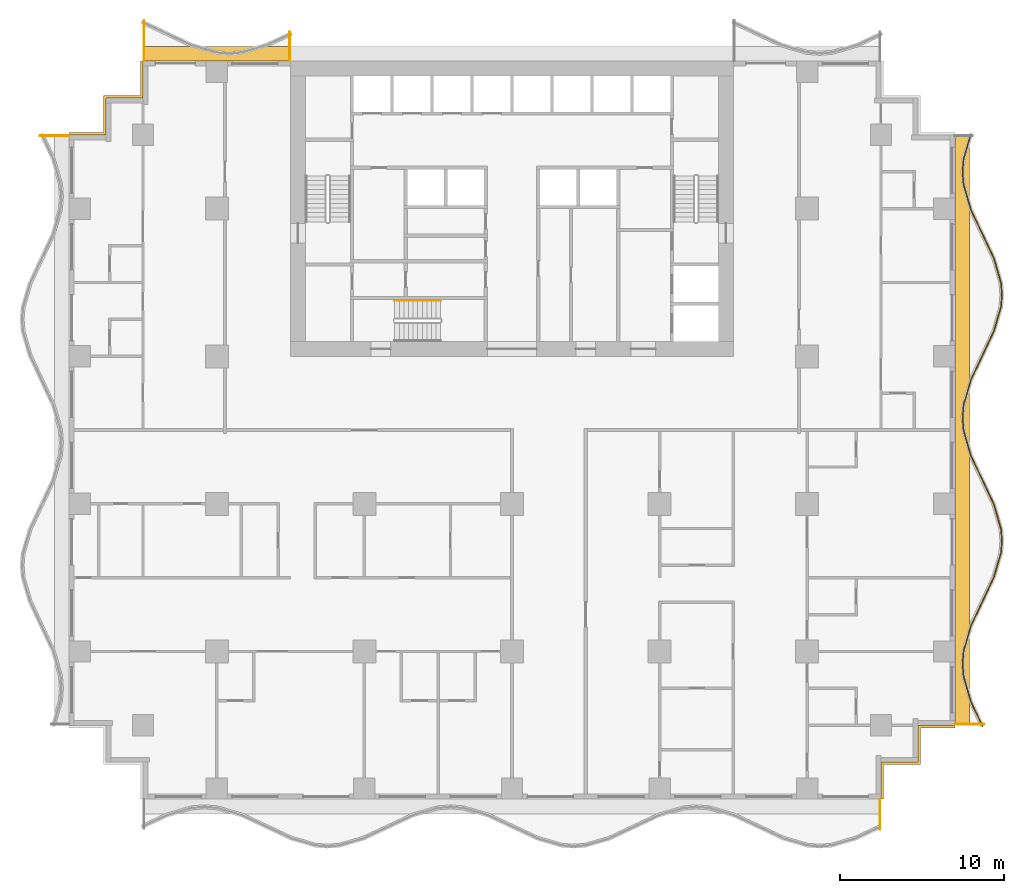
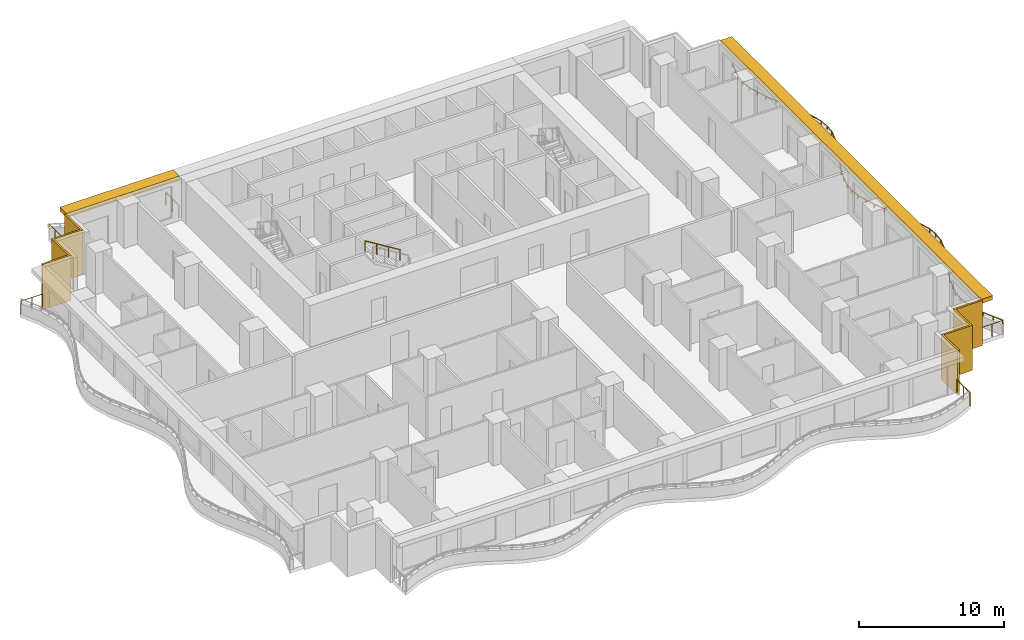
# One storey, part 10 of 13: 7 railings, 4 shading devices.
"""IFC4 building model written with IfcOpenShell, lengths in metres."""

from ifc_helpers import new_model, si_unit, direction, frame, origin, origin_2d, place, context, subcontext, project, spatial, polyline, rectangle, circle, outline, extrude, material, layer, layer_set, type_object, element, save


model = new_model("IFC4")

# Units and contexts
model_context = context("Model", 3, precision=1e-05, world=origin(), true_north=direction((0.0, 1.0)))
body_context = subcontext(model_context, "Body", "Model", "MODEL_VIEW")
ifc_project = project(units=[si_unit("LENGTHUNIT", "METRE"), si_unit("AREAUNIT", "SQUARE_METRE"), si_unit("VOLUMEUNIT", "CUBIC_METRE"), si_unit("PLANEANGLEUNIT", "RADIAN"), si_unit("MASSUNIT", "GRAM", prefix="KILO")], contexts=[model_context])

# Site, building, storey
site_placement = place(None, origin())
site = spatial("IfcSite", under=ifc_project, at=site_placement, CompositionType="ELEMENT")
building_placement = place(site_placement, origin())
building = spatial("IfcBuilding", under=site, at=building_placement, Name="Orbiselva Terraces", CompositionType="ELEMENT")
storey_placement = place(building_placement, frame((0.0, 0.0, 92.2)))
storey = spatial("IfcBuildingStorey", under=building, at=storey_placement, Name="L23", CompositionType="ELEMENT", Elevation=92.2)

# Railings
ifc_material_1 = material(Name="Stainless steel", Category="steel")
railing_type_1 = type_object("IfcRailingType", Name="CORE-HANDRAIL-900", PredefinedType="HANDRAIL", material=ifc_material_1)
railing_1_placement = place(storey_placement, frame((-4.35, 7.9, 2.072727)))
element("IfcRailing", 1, at=railing_1_placement, inside=storey, type_object=railing_type_1, Name="L23 S3 stair handrail 2", PredefinedType="HANDRAIL", context=body_context, shape_type="SweptSolid", body=[
    extrude(circle(Radius=0.024, at=origin_2d()), frame((0.0, 0.0, 0.876), z_axis=(-0.851088519012, 0.0, 0.52502222125), x_axis=(0.0, -1.0, 0.0)), (0.0, 0.0, 1.0), 3.289905),
    extrude(circle(Radius=0.021, at=origin_2d()), origin(), (0.0, 0.0, 1.0), 0.852),
    extrude(circle(Radius=0.021, at=origin_2d()), frame((-0.933333, 0.0, 0.575758)), (0.0, 0.0, 1.0), 0.852),
    extrude(circle(Radius=0.021, at=origin_2d()), frame((-1.866667, 0.0, 1.151515)), (0.0, 0.0, 1.0), 0.852),
    extrude(circle(Radius=0.021, at=origin_2d()), frame((-2.8, 0.0, 1.727273)), (0.0, 0.0, 1.0), 0.852),
])
ifc_material_2 = material(Name="Bonded two-ply safety glass balustrade, stainless steel posts", Category="steel")
railing_type_2 = type_object("IfcRailingType", Name="ENV-BALUSTRADE-1200", PredefinedType="BALUSTRADE", material=ifc_material_2)
railing_2_placement = place(storey_placement, frame((28.686882, -18.053191, 0.9)))
element("IfcRailing", 2, at=railing_2_placement, inside=storey, type_object=railing_type_2, Name="Balcony balustrade L23 E", PredefinedType="BALUSTRADE", context=body_context, shape_type="SweptSolid", body=[
    extrude(outline(polyline([(0.028868, 0.0), (0.014434, 0.025), (-0.014434, 0.025), (-0.028868, 0.0), (-0.014434, -0.025), (0.014434, -0.025), (0.028868, 0.0)])), frame((0.0, 0.0, 0.275), z_axis=(-0.425530342069, 0.904944157382, 0.0), x_axis=(-0.904944157382, -0.425530342069, 0.0)), (0.0, 0.0, 1.0), 1.667376),
    extrude(outline(polyline([(0.028868, 0.0), (0.014434, 0.025), (-0.014434, 0.025), (-0.028868, 0.0), (-0.014434, -0.025), (0.014434, -0.025), (0.028868, 0.0)])), frame((-0.709519, 1.508882, 0.275), z_axis=(-0.279070928786, 0.960270491427, 0.0), x_axis=(-0.960270491427, -0.279070928786, 0.0)), (0.0, 0.0, 1.0), 1.584712),
    extrude(outline(polyline([(0.028868, 0.0), (0.014434, 0.025), (-0.014434, 0.025), (-0.028868, 0.0), (-0.014434, -0.025), (0.014434, -0.025), (0.028868, 0.0)])), frame((-1.151766, 3.030634, 0.275), z_axis=(-0.078071061106, 0.996947796737, 0.0), x_axis=(-0.996947796737, -0.078071061106, 0.0)), (0.0, 0.0, 1.0), 0.774922),
    extrude(outline(polyline([(0.028868, 0.0), (0.014434, 0.025), (-0.014434, 0.025), (-0.028868, 0.0), (-0.014434, -0.025), (0.014434, -0.025), (0.028868, 0.0)])), frame((-1.212265, 3.803191, 0.275), z_axis=(0.078071061106, 0.996947796737, 0.0), x_axis=(-0.996947796737, 0.078071061106, 0.0)), (0.0, 0.0, 1.0), 0.774922),
    extrude(outline(polyline([(0.028868, 0.0), (0.014434, 0.025), (-0.014434, 0.025), (-0.028868, 0.0), (-0.014434, -0.025), (0.014434, -0.025), (0.028868, 0.0)])), frame((-1.151766, 4.575748, 0.275), z_axis=(0.279070928786, 0.960270491427, 0.0), x_axis=(-0.960270491427, 0.279070928786, 0.0)), (0.0, 0.0, 1.0), 1.584712),
    extrude(outline(polyline([(0.028868, 0.0), (0.014434, 0.025), (-0.014434, 0.025), (-0.028868, 0.0), (-0.014434, -0.025), (0.014434, -0.025), (0.028868, 0.0)])), frame((-0.709519, 6.0975, 0.275), z_axis=(0.425530342069, 0.904944157382, 0.0), x_axis=(-0.904944157382, 0.425530342069, 0.0)), (0.0, 0.0, 1.0), 1.667376),
    extrude(outline(polyline([(0.028868, 0.0), (0.014434, 0.025), (-0.014434, 0.025), (-0.028868, 0.0), (-0.014434, -0.025), (0.014434, -0.025), (0.028868, 0.0)])), frame((0.0, 7.606382, 0.275), z_axis=(0.425529912322, 0.904944359461, 0.0), x_axis=(-0.904944359461, 0.425529912322, 0.0)), (0.0, 0.0, 1.0), 1.647746),
    extrude(outline(polyline([(0.028868, 0.0), (0.014434, 0.025), (-0.014434, 0.025), (-0.028868, 0.0), (-0.014434, -0.025), (0.014434, -0.025), (0.028868, 0.0)])), frame((0.701165, 9.0975, 0.275), z_axis=(0.279071528957, 0.960270317007, 0.0), x_axis=(-0.960270317007, 0.279071528957, 0.0)), (0.0, 0.0, 1.0), 1.539408),
    extrude(outline(polyline([(0.028868, 0.0), (0.014434, 0.025), (-0.014434, 0.025), (-0.028868, 0.0), (-0.014434, -0.025), (0.014434, -0.025), (0.028868, 0.0)])), frame((1.13077, 10.575748, 0.275), z_axis=(0.078069536776, 0.996947916106, 0.0), x_axis=(-0.996947916106, 0.078069536776, 0.0)), (0.0, 0.0, 1.0), 0.72967),
    extrude(outline(polyline([(0.028868, 0.0), (0.014434, 0.025), (-0.014434, 0.025), (-0.028868, 0.0), (-0.014434, -0.025), (0.014434, -0.025), (0.028868, 0.0)])), frame((1.187735, 11.303191, 0.275), z_axis=(-0.078069536776, 0.996947916106, 0.0), x_axis=(-0.996947916106, -0.078069536776, 0.0)), (0.0, 0.0, 1.0), 0.72967),
    extrude(outline(polyline([(0.028868, 0.0), (0.014434, 0.025), (-0.014434, 0.025), (-0.028868, 0.0), (-0.014434, -0.025), (0.014434, -0.025), (0.028868, 0.0)])), frame((1.13077, 12.030634, 0.275), z_axis=(-0.279071528957, 0.960270317007, 0.0), x_axis=(-0.960270317007, -0.279071528957, 0.0)), (0.0, 0.0, 1.0), 1.539408),
    extrude(outline(polyline([(0.028868, 0.0), (0.014434, 0.025), (-0.014434, 0.025), (-0.028868, 0.0), (-0.014434, -0.025), (0.014434, -0.025), (0.028868, 0.0)])), frame((0.701165, 13.508882, 0.275), z_axis=(-0.425529912322, 0.904944359461, 0.0), x_axis=(-0.904944359461, -0.425529912322, 0.0)), (0.0, 0.0, 1.0), 1.647746),
    extrude(outline(polyline([(0.028868, 0.0), (0.014434, 0.025), (-0.014434, 0.025), (-0.028868, 0.0), (-0.014434, -0.025), (0.014434, -0.025), (0.028868, 0.0)])), frame((0.0, 15.0, 0.275), z_axis=(-0.425530342069, 0.904944157382, 0.0), x_axis=(-0.904944157382, -0.425530342069, 0.0)), (0.0, 0.0, 1.0), 1.667376),
    extrude(outline(polyline([(0.028868, 0.0), (0.014434, 0.025), (-0.014434, 0.025), (-0.028868, 0.0), (-0.014434, -0.025), (0.014434, -0.025), (0.028868, 0.0)])), frame((-0.709519, 16.508882, 0.275), z_axis=(-0.279070928786, 0.960270491427, 0.0), x_axis=(-0.960270491427, -0.279070928786, 0.0)), (0.0, 0.0, 1.0), 1.584712),
    extrude(outline(polyline([(0.028868, 0.0), (0.014434, 0.025), (-0.014434, 0.025), (-0.028868, 0.0), (-0.014434, -0.025), (0.014434, -0.025), (0.028868, 0.0)])), frame((-1.151766, 18.030634, 0.275), z_axis=(-0.078071061106, 0.996947796737, 0.0), x_axis=(-0.996947796737, -0.078071061106, 0.0)), (0.0, 0.0, 1.0), 0.774922),
    extrude(outline(polyline([(0.028868, 0.0), (0.014434, 0.025), (-0.014434, 0.025), (-0.028868, 0.0), (-0.014434, -0.025), (0.014434, -0.025), (0.028868, 0.0)])), frame((-1.212265, 18.803191, 0.275), z_axis=(0.078071061106, 0.996947796737, 0.0), x_axis=(-0.996947796737, 0.078071061106, 0.0)), (0.0, 0.0, 1.0), 0.774922),
    extrude(outline(polyline([(0.028868, 0.0), (0.014434, 0.025), (-0.014434, 0.025), (-0.028868, 0.0), (-0.014434, -0.025), (0.014434, -0.025), (0.028868, 0.0)])), frame((-1.151766, 19.575748, 0.275), z_axis=(0.279070928786, 0.960270491427, 0.0), x_axis=(-0.960270491427, 0.279070928786, 0.0)), (0.0, 0.0, 1.0), 1.584712),
    extrude(outline(polyline([(0.028868, 0.0), (0.014434, 0.025), (-0.014434, 0.025), (-0.028868, 0.0), (-0.014434, -0.025), (0.014434, -0.025), (0.028868, 0.0)])), frame((-0.709519, 21.0975, 0.275), z_axis=(0.425530342069, 0.904944157382, 0.0), x_axis=(-0.904944157382, 0.425530342069, 0.0)), (0.0, 0.0, 1.0), 1.667376),
    extrude(outline(polyline([(0.028868, 0.0), (0.014434, 0.025), (-0.014434, 0.025), (-0.028868, 0.0), (-0.014434, -0.025), (0.014434, -0.025), (0.028868, 0.0)])), frame((0.0, 22.606382, 0.275), z_axis=(0.425529912322, 0.904944359461, 0.0), x_axis=(-0.904944359461, 0.425529912322, 0.0)), (0.0, 0.0, 1.0), 1.647746),
    extrude(outline(polyline([(0.028868, 0.0), (0.014434, 0.025), (-0.014434, 0.025), (-0.028868, 0.0), (-0.014434, -0.025), (0.014434, -0.025), (0.028868, 0.0)])), frame((0.701165, 24.0975, 0.275), z_axis=(0.279071528957, 0.960270317007, 0.0), x_axis=(-0.960270317007, 0.279071528957, 0.0)), (0.0, 0.0, 1.0), 1.539408),
    extrude(outline(polyline([(0.028868, 0.0), (0.014434, 0.025), (-0.014434, 0.025), (-0.028868, 0.0), (-0.014434, -0.025), (0.014434, -0.025), (0.028868, 0.0)])), frame((1.13077, 25.575748, 0.275), z_axis=(0.078069536776, 0.996947916106, 0.0), x_axis=(-0.996947916106, 0.078069536776, 0.0)), (0.0, 0.0, 1.0), 0.72967),
    extrude(outline(polyline([(0.028868, 0.0), (0.014434, 0.025), (-0.014434, 0.025), (-0.028868, 0.0), (-0.014434, -0.025), (0.014434, -0.025), (0.028868, 0.0)])), frame((1.187735, 26.303191, 0.275), z_axis=(-0.078069536776, 0.996947916106, 0.0), x_axis=(-0.996947916106, -0.078069536776, 0.0)), (0.0, 0.0, 1.0), 0.72967),
    extrude(outline(polyline([(0.028868, 0.0), (0.014434, 0.025), (-0.014434, 0.025), (-0.028868, 0.0), (-0.014434, -0.025), (0.014434, -0.025), (0.028868, 0.0)])), frame((1.13077, 27.030634, 0.275), z_axis=(-0.279071528957, 0.960270317007, 0.0), x_axis=(-0.960270317007, -0.279071528957, 0.0)), (0.0, 0.0, 1.0), 1.539408),
    extrude(outline(polyline([(0.028868, 0.0), (0.014434, 0.025), (-0.014434, 0.025), (-0.028868, 0.0), (-0.014434, -0.025), (0.014434, -0.025), (0.028868, 0.0)])), frame((0.701165, 28.508882, 0.275), z_axis=(-0.425529912322, 0.904944359461, 0.0), x_axis=(-0.904944359461, -0.425529912322, 0.0)), (0.0, 0.0, 1.0), 1.647746),
    extrude(outline(polyline([(0.028868, 0.0), (0.014434, 0.025), (-0.014434, 0.025), (-0.028868, 0.0), (-0.014434, -0.025), (0.014434, -0.025), (0.028868, 0.0)])), frame((0.0, 30.0, 0.275), z_axis=(-0.425530342069, 0.904944157382, 0.0), x_axis=(-0.904944157382, -0.425530342069, 0.0)), (0.0, 0.0, 1.0), 1.667376),
    extrude(outline(polyline([(0.028868, 0.0), (0.014434, 0.025), (-0.014434, 0.025), (-0.028868, 0.0), (-0.014434, -0.025), (0.014434, -0.025), (0.028868, 0.0)])), frame((-0.709519, 31.508882, 0.275), z_axis=(-0.279070928786, 0.960270491427, 0.0), x_axis=(-0.960270491427, -0.279070928786, 0.0)), (0.0, 0.0, 1.0), 1.584712),
    extrude(outline(polyline([(0.028868, 0.0), (0.014434, 0.025), (-0.014434, 0.025), (-0.028868, 0.0), (-0.014434, -0.025), (0.014434, -0.025), (0.028868, 0.0)])), frame((-1.151766, 33.030634, 0.275), z_axis=(-0.078071061106, 0.996947796737, 0.0), x_axis=(-0.996947796737, -0.078071061106, 0.0)), (0.0, 0.0, 1.0), 0.774922),
    extrude(outline(polyline([(0.028868, 0.0), (0.014434, 0.025), (-0.014434, 0.025), (-0.028868, 0.0), (-0.014434, -0.025), (0.014434, -0.025), (0.028868, 0.0)])), frame((-1.212265, 33.803191, 0.275), z_axis=(0.078071061106, 0.996947796737, 0.0), x_axis=(-0.996947796737, 0.078071061106, 0.0)), (0.0, 0.0, 1.0), 0.774922),
    extrude(outline(polyline([(0.028868, 0.0), (0.014434, 0.025), (-0.014434, 0.025), (-0.028868, 0.0), (-0.014434, -0.025), (0.014434, -0.025), (0.028868, 0.0)])), frame((-1.151766, 34.575748, 0.275), z_axis=(0.279070966973, 0.96027048033, 0.0), x_axis=(-0.96027048033, 0.279070966973, 0.0)), (0.0, 0.0, 1.0), 1.574897),
    extrude(rectangle(XDim=0.05, YDim=0.05, at=origin_2d()), origin(), (0.0, 0.0, 1.0), 0.25),
    extrude(rectangle(XDim=0.05, YDim=0.05, at=origin_2d()), frame((-0.35476, 0.754441, 0.0)), (0.0, 0.0, 1.0), 0.25),
    extrude(rectangle(XDim=0.05, YDim=0.05, at=origin_2d()), frame((-0.709519, 1.508882, 0.0)), (0.0, 0.0, 1.0), 0.25),
    extrude(rectangle(XDim=0.05, YDim=0.05, at=origin_2d()), frame((-0.930643, 2.269758, 0.0)), (0.0, 0.0, 1.0), 0.25),
    extrude(rectangle(XDim=0.05, YDim=0.05, at=origin_2d()), frame((-1.151766, 3.030634, 0.0)), (0.0, 0.0, 1.0), 0.25),
    extrude(rectangle(XDim=0.05, YDim=0.05, at=origin_2d()), frame((-1.212265, 3.803191, 0.0)), (0.0, 0.0, 1.0), 0.25),
    extrude(rectangle(XDim=0.05, YDim=0.05, at=origin_2d()), frame((-1.151766, 4.575748, 0.0)), (0.0, 0.0, 1.0), 0.25),
    extrude(rectangle(XDim=0.05, YDim=0.05, at=origin_2d()), frame((-0.930643, 5.336624, 0.0)), (0.0, 0.0, 1.0), 0.25),
    extrude(rectangle(XDim=0.05, YDim=0.05, at=origin_2d()), frame((-0.709519, 6.0975, 0.0)), (0.0, 0.0, 1.0), 0.25),
    extrude(rectangle(XDim=0.05, YDim=0.05, at=origin_2d()), frame((-0.35476, 6.851941, 0.0)), (0.0, 0.0, 1.0), 0.25),
    extrude(rectangle(XDim=0.05, YDim=0.05, at=origin_2d()), frame((0.0, 7.606382, 0.0)), (0.0, 0.0, 1.0), 0.25),
    extrude(rectangle(XDim=0.05, YDim=0.05, at=origin_2d()), frame((0.350582, 8.351941, 0.0)), (0.0, 0.0, 1.0), 0.25),
    extrude(rectangle(XDim=0.05, YDim=0.05, at=origin_2d()), frame((0.701165, 9.0975, 0.0)), (0.0, 0.0, 1.0), 0.25),
    extrude(rectangle(XDim=0.05, YDim=0.05, at=origin_2d()), frame((0.915967, 9.836624, 0.0)), (0.0, 0.0, 1.0), 0.25),
    extrude(rectangle(XDim=0.05, YDim=0.05, at=origin_2d()), frame((1.13077, 10.575748, 0.0)), (0.0, 0.0, 1.0), 0.25),
    extrude(rectangle(XDim=0.05, YDim=0.05, at=origin_2d()), frame((1.187735, 11.303191, 0.0)), (0.0, 0.0, 1.0), 0.25),
    extrude(rectangle(XDim=0.05, YDim=0.05, at=origin_2d()), frame((1.13077, 12.030634, 0.0)), (0.0, 0.0, 1.0), 0.25),
    extrude(rectangle(XDim=0.05, YDim=0.05, at=origin_2d()), frame((0.915967, 12.769758, 0.0)), (0.0, 0.0, 1.0), 0.25),
    extrude(rectangle(XDim=0.05, YDim=0.05, at=origin_2d()), frame((0.701165, 13.508882, 0.0)), (0.0, 0.0, 1.0), 0.25),
    extrude(rectangle(XDim=0.05, YDim=0.05, at=origin_2d()), frame((0.350582, 14.254441, 0.0)), (0.0, 0.0, 1.0), 0.25),
    extrude(rectangle(XDim=0.05, YDim=0.05, at=origin_2d()), frame((0.0, 15.0, 0.0)), (0.0, 0.0, 1.0), 0.25),
    extrude(rectangle(XDim=0.05, YDim=0.05, at=origin_2d()), frame((-0.35476, 15.754441, 0.0)), (0.0, 0.0, 1.0), 0.25),
    extrude(rectangle(XDim=0.05, YDim=0.05, at=origin_2d()), frame((-0.709519, 16.508882, 0.0)), (0.0, 0.0, 1.0), 0.25),
    extrude(rectangle(XDim=0.05, YDim=0.05, at=origin_2d()), frame((-0.930643, 17.269758, 0.0)), (0.0, 0.0, 1.0), 0.25),
    extrude(rectangle(XDim=0.05, YDim=0.05, at=origin_2d()), frame((-1.151766, 18.030634, 0.0)), (0.0, 0.0, 1.0), 0.25),
    extrude(rectangle(XDim=0.05, YDim=0.05, at=origin_2d()), frame((-1.212265, 18.803191, 0.0)), (0.0, 0.0, 1.0), 0.25),
    extrude(rectangle(XDim=0.05, YDim=0.05, at=origin_2d()), frame((-1.151766, 19.575748, 0.0)), (0.0, 0.0, 1.0), 0.25),
    extrude(rectangle(XDim=0.05, YDim=0.05, at=origin_2d()), frame((-0.930643, 20.336624, 0.0)), (0.0, 0.0, 1.0), 0.25),
    extrude(rectangle(XDim=0.05, YDim=0.05, at=origin_2d()), frame((-0.709519, 21.0975, 0.0)), (0.0, 0.0, 1.0), 0.25),
    extrude(rectangle(XDim=0.05, YDim=0.05, at=origin_2d()), frame((-0.35476, 21.851941, 0.0)), (0.0, 0.0, 1.0), 0.25),
    extrude(rectangle(XDim=0.05, YDim=0.05, at=origin_2d()), frame((0.0, 22.606382, 0.0)), (0.0, 0.0, 1.0), 0.25),
    extrude(rectangle(XDim=0.05, YDim=0.05, at=origin_2d()), frame((0.350582, 23.351941, 0.0)), (0.0, 0.0, 1.0), 0.25),
    extrude(rectangle(XDim=0.05, YDim=0.05, at=origin_2d()), frame((0.701165, 24.0975, 0.0)), (0.0, 0.0, 1.0), 0.25),
    extrude(rectangle(XDim=0.05, YDim=0.05, at=origin_2d()), frame((0.915967, 24.836624, 0.0)), (0.0, 0.0, 1.0), 0.25),
    extrude(rectangle(XDim=0.05, YDim=0.05, at=origin_2d()), frame((1.13077, 25.575748, 0.0)), (0.0, 0.0, 1.0), 0.25),
    extrude(rectangle(XDim=0.05, YDim=0.05, at=origin_2d()), frame((1.187735, 26.303191, 0.0)), (0.0, 0.0, 1.0), 0.25),
    extrude(rectangle(XDim=0.05, YDim=0.05, at=origin_2d()), frame((1.13077, 27.030634, 0.0)), (0.0, 0.0, 1.0), 0.25),
    extrude(rectangle(XDim=0.05, YDim=0.05, at=origin_2d()), frame((0.915967, 27.769758, 0.0)), (0.0, 0.0, 1.0), 0.25),
    extrude(rectangle(XDim=0.05, YDim=0.05, at=origin_2d()), frame((0.701165, 28.508882, 0.0)), (0.0, 0.0, 1.0), 0.25),
    extrude(rectangle(XDim=0.05, YDim=0.05, at=origin_2d()), frame((0.350582, 29.254441, 0.0)), (0.0, 0.0, 1.0), 0.25),
    extrude(rectangle(XDim=0.05, YDim=0.05, at=origin_2d()), frame((0.0, 30.0, 0.0)), (0.0, 0.0, 1.0), 0.25),
    extrude(rectangle(XDim=0.05, YDim=0.05, at=origin_2d()), frame((-0.35476, 30.754441, 0.0)), (0.0, 0.0, 1.0), 0.25),
    extrude(rectangle(XDim=0.05, YDim=0.05, at=origin_2d()), frame((-0.709519, 31.508882, 0.0)), (0.0, 0.0, 1.0), 0.25),
    extrude(rectangle(XDim=0.05, YDim=0.05, at=origin_2d()), frame((-0.930643, 32.269758, 0.0)), (0.0, 0.0, 1.0), 0.25),
    extrude(rectangle(XDim=0.05, YDim=0.05, at=origin_2d()), frame((-1.151766, 33.030634, 0.0)), (0.0, 0.0, 1.0), 0.25),
    extrude(rectangle(XDim=0.05, YDim=0.05, at=origin_2d()), frame((-1.212265, 33.803191, 0.0)), (0.0, 0.0, 1.0), 0.25),
    extrude(rectangle(XDim=0.05, YDim=0.05, at=origin_2d()), frame((-1.151766, 34.575748, 0.0)), (0.0, 0.0, 1.0), 0.25),
    extrude(rectangle(XDim=0.05, YDim=0.05, at=origin_2d()), frame((-0.932012, 35.331912, 0.0)), (0.0, 0.0, 1.0), 0.25),
    extrude(rectangle(XDim=0.05, YDim=0.05, at=origin_2d()), frame((-0.712258, 36.088075, 0.0)), (0.0, 0.0, 1.0), 0.25),
])
ifc_material_3 = material(Name="Stainless steel rail and posts", Category="steel")
railing_type_3 = type_object("IfcRailingType", Name="ENV-GUARD-1105", PredefinedType="BALUSTRADE", material=ifc_material_3)
railing_3_placement = place(storey_placement, frame((22.44, -24.330156, 0.0)))
element("IfcRailing", 3, at=railing_3_placement, inside=storey, type_object=railing_type_3, Name="Balcony end guard L23 S", PredefinedType="BALUSTRADE", context=body_context, shape_type="SweptSolid", body=[
    extrude(outline(polyline([(0.028868, 0.0), (0.014434, 0.025), (-0.014434, 0.025), (-0.028868, 0.0), (-0.014434, -0.025), (0.014434, -0.025), (0.028868, 0.0)])), frame((0.0, 0.0, 1.08), z_axis=(0.0, 1.0, 0.0), x_axis=(-1.0, 0.0, 0.0)), (0.0, 0.0, 1.0), 1.805156),
    extrude(rectangle(XDim=0.05, YDim=0.05, at=origin_2d()), origin(), (0.0, 0.0, 1.0), 1.055),
    extrude(rectangle(XDim=0.05, YDim=0.05, at=origin_2d()), frame((0.0, 0.902578, 0.0)), (0.0, 0.0, 1.0), 1.055),
    extrude(rectangle(XDim=0.05, YDim=0.05, at=origin_2d()), frame((0.0, 1.805156, 0.0)), (0.0, 0.0, 1.0), 1.055),
])
railing_4_placement = place(storey_placement, frame((28.769844, -17.94, 0.0)))
element("IfcRailing", 4, at=railing_4_placement, inside=storey, type_object=railing_type_3, Name="Balcony end guard L23 E", PredefinedType="BALUSTRADE", context=body_context, shape_type="SweptSolid", body=[
    extrude(outline(polyline([(0.028868, 0.0), (0.014434, 0.025), (-0.014434, 0.025), (-0.028868, 0.0), (-0.014434, -0.025), (0.014434, -0.025), (0.028868, 0.0)])), frame((0.0, 0.0, 1.08), z_axis=(-1.0, 0.0, 0.0), x_axis=(0.0, -1.0, 0.0)), (0.0, 0.0, 1.0), 1.744844),
    extrude(rectangle(XDim=0.05, YDim=0.05, at=origin_2d()), origin(), (0.0, 0.0, 1.0), 1.055),
    extrude(rectangle(XDim=0.05, YDim=0.05, at=origin_2d()), frame((-0.872422, 0.0, 0.0)), (0.0, 0.0, 1.0), 1.055),
    extrude(rectangle(XDim=0.05, YDim=0.05, at=origin_2d()), frame((-1.744844, 0.0, 0.0)), (0.0, 0.0, 1.0), 1.055),
])
railing_5_placement = place(storey_placement, frame((-13.56, 24.269844, 0.0)))
element("IfcRailing", 5, at=railing_5_placement, inside=storey, type_object=railing_type_3, Name="Balcony end guard L23 NW", PredefinedType="BALUSTRADE", context=body_context, shape_type="SweptSolid", body=[
    extrude(outline(polyline([(0.028868, 0.0), (0.014434, 0.025), (-0.014434, 0.025), (-0.028868, 0.0), (-0.014434, -0.025), (0.014434, -0.025), (0.028868, 0.0)])), frame((0.0, 0.0, 1.08), z_axis=(0.0, -1.0, 0.0), x_axis=(1.0, 0.0, 0.0)), (0.0, 0.0, 1.0), 1.744844),
    extrude(rectangle(XDim=0.05, YDim=0.05, at=origin_2d()), origin(), (0.0, 0.0, 1.0), 1.055),
    extrude(rectangle(XDim=0.05, YDim=0.05, at=origin_2d()), frame((0.0, -0.872422, 0.0)), (0.0, 0.0, 1.0), 1.055),
    extrude(rectangle(XDim=0.05, YDim=0.05, at=origin_2d()), frame((0.0, -1.744844, 0.0)), (0.0, 0.0, 1.0), 1.055),
])
railing_6_placement = place(storey_placement, frame((-22.44, 24.980723, 0.0)))
element("IfcRailing", 6, at=railing_6_placement, inside=storey, type_object=railing_type_3, Name="Balcony end guard L23 NW", PredefinedType="BALUSTRADE", context=body_context, shape_type="SweptSolid", body=[
    extrude(outline(polyline([(0.028868, 0.0), (0.014434, 0.025), (-0.014434, 0.025), (-0.028868, 0.0), (-0.014434, -0.025), (0.014434, -0.025), (0.028868, 0.0)])), frame((0.0, 0.0, 1.08), z_axis=(0.0, -1.0, 0.0), x_axis=(1.0, 0.0, 0.0)), (0.0, 0.0, 1.0), 2.455723),
    extrude(rectangle(XDim=0.05, YDim=0.05, at=origin_2d()), origin(), (0.0, 0.0, 1.0), 1.055),
    extrude(rectangle(XDim=0.05, YDim=0.05, at=origin_2d()), frame((0.0, -0.818574, 0.0)), (0.0, 0.0, 1.0), 1.055),
    extrude(rectangle(XDim=0.05, YDim=0.05, at=origin_2d()), frame((0.0, -1.637149, 0.0)), (0.0, 0.0, 1.0), 1.055),
    extrude(rectangle(XDim=0.05, YDim=0.05, at=origin_2d()), frame((0.0, -2.455723, 0.0)), (0.0, 0.0, 1.0), 1.055),
])
railing_7_placement = place(storey_placement, frame((-28.769844, 17.94, 0.0)))
element("IfcRailing", 7, at=railing_7_placement, inside=storey, type_object=railing_type_3, Name="Balcony end guard L23 W", PredefinedType="BALUSTRADE", context=body_context, shape_type="SweptSolid", body=[
    extrude(outline(polyline([(0.028868, 0.0), (0.014434, 0.025), (-0.014434, 0.025), (-0.028868, 0.0), (-0.014434, -0.025), (0.014434, -0.025), (0.028868, 0.0)])), frame((0.0, 0.0, 1.08), z_axis=(1.0, 0.0, 0.0), x_axis=(0.0, 1.0, 0.0)), (0.0, 0.0, 1.0), 1.744844),
    extrude(rectangle(XDim=0.05, YDim=0.05, at=origin_2d()), origin(), (0.0, 0.0, 1.0), 1.055),
    extrude(rectangle(XDim=0.05, YDim=0.05, at=origin_2d()), frame((0.872422, 0.0, 0.0)), (0.0, 0.0, 1.0), 1.055),
    extrude(rectangle(XDim=0.05, YDim=0.05, at=origin_2d()), frame((1.744844, 0.0, 0.0)), (0.0, 0.0, 1.0), 1.055),
])

# Shading devices
ifc_material_4 = material(Name="Terracotta louvre screen", Category="masonry")
ifc_layer_1 = layer(ifc_material_4, 0.15)
ifc_layer_set_1 = layer_set([ifc_layer_1], Name="Terracotta louvre screen")
shading_device_type_1 = type_object("IfcShadingDeviceType", Name="ENV-SCREEN-150", PredefinedType="USERDEFINED", material=ifc_layer_set_1)
shading_device_1_placement = place(storey_placement, frame((0.0, 0.0, -0.3)))
element("IfcShadingDevice", 8, at=shading_device_1_placement, inside=storey, type_object=shading_device_type_1, Name="Louvre screen L23 NW", ObjectType="SCREEN", PredefinedType="USERDEFINED", context=body_context, shape_type="SweptSolid", body=[
    extrude(outline(polyline([(-22.65, 22.5), (-22.65, 20.4), (-24.9, 20.4), (-24.9, 18.15), (-27.0, 18.15), (-27.0, 18.0), (-24.75, 18.0), (-24.75, 20.25), (-22.5, 20.25), (-22.5, 22.5), (-22.65, 22.5)])), origin(), (0.0, 0.0, 1.0), 3.8),
])
shading_device_2_placement = place(storey_placement, frame((0.0, 0.0, -0.3)))
element("IfcShadingDevice", 9, at=shading_device_2_placement, inside=storey, type_object=shading_device_type_1, Name="Louvre screen L23 SE", ObjectType="SCREEN", PredefinedType="USERDEFINED", context=body_context, shape_type="SweptSolid", body=[
    extrude(outline(polyline([(22.65, -22.5), (22.65, -20.4), (24.9, -20.4), (24.9, -18.15), (27.0, -18.15), (27.0, -18.0), (24.75, -18.0), (24.75, -20.25), (22.5, -20.25), (22.5, -22.5), (22.65, -22.5)])), origin(), (0.0, 0.0, 1.0), 3.8),
])
ifc_material_5 = material(Name="Terracotta baguette sunshade", Category="masonry")
ifc_layer_2 = layer(ifc_material_5, 0.35)
ifc_layer_set_2 = layer_set([ifc_layer_2], Name="Terracotta baguette sunshade")
shading_device_type_2 = type_object("IfcShadingDeviceType", Name="ENV-SUNSHADE-900x350", PredefinedType="USERDEFINED", material=ifc_layer_set_2)
shading_device_3_placement = place(storey_placement, frame((0.0, 0.0, 3.15)))
element("IfcShadingDevice", 10, at=shading_device_3_placement, inside=storey, type_object=shading_device_type_2, Name="Sunshade band L23 E", ObjectType="SUNSHADE", PredefinedType="USERDEFINED", context=body_context, shape_type="SweptSolid", body=[
    extrude(outline(polyline([(27.9, -18.0), (27.9, 18.0), (27.0, 18.0), (27.0, -18.0), (27.9, -18.0)])), origin(), (0.0, 0.0, 1.0), 0.35),
])
shading_device_4_placement = place(storey_placement, frame((0.0, 0.0, 3.15)))
element("IfcShadingDevice", 11, at=shading_device_4_placement, inside=storey, type_object=shading_device_type_2, Name="Sunshade band L23 NW", ObjectType="SUNSHADE", PredefinedType="USERDEFINED", context=body_context, shape_type="SweptSolid", body=[
    extrude(outline(polyline([(-13.5, 23.4), (-22.5, 23.4), (-22.5, 22.5), (-13.5, 22.5), (-13.5, 23.4)])), origin(), (0.0, 0.0, 1.0), 0.35),
])

save(model, "model.ifc")
